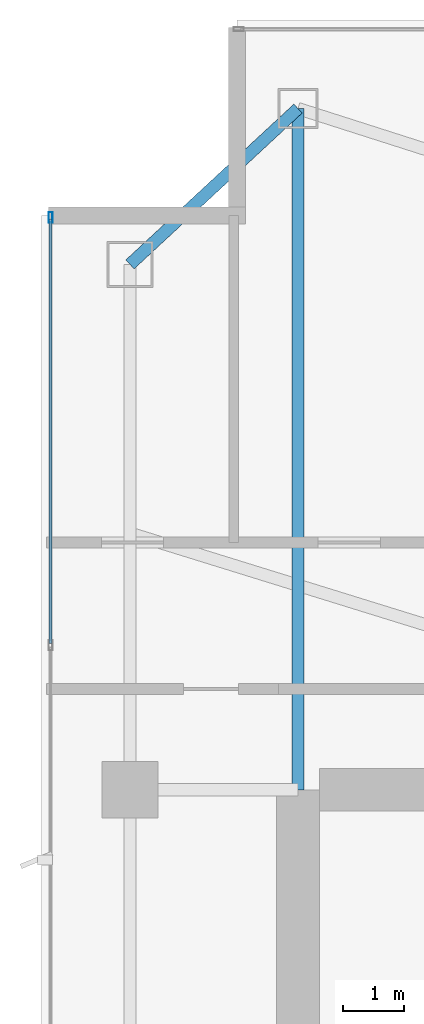
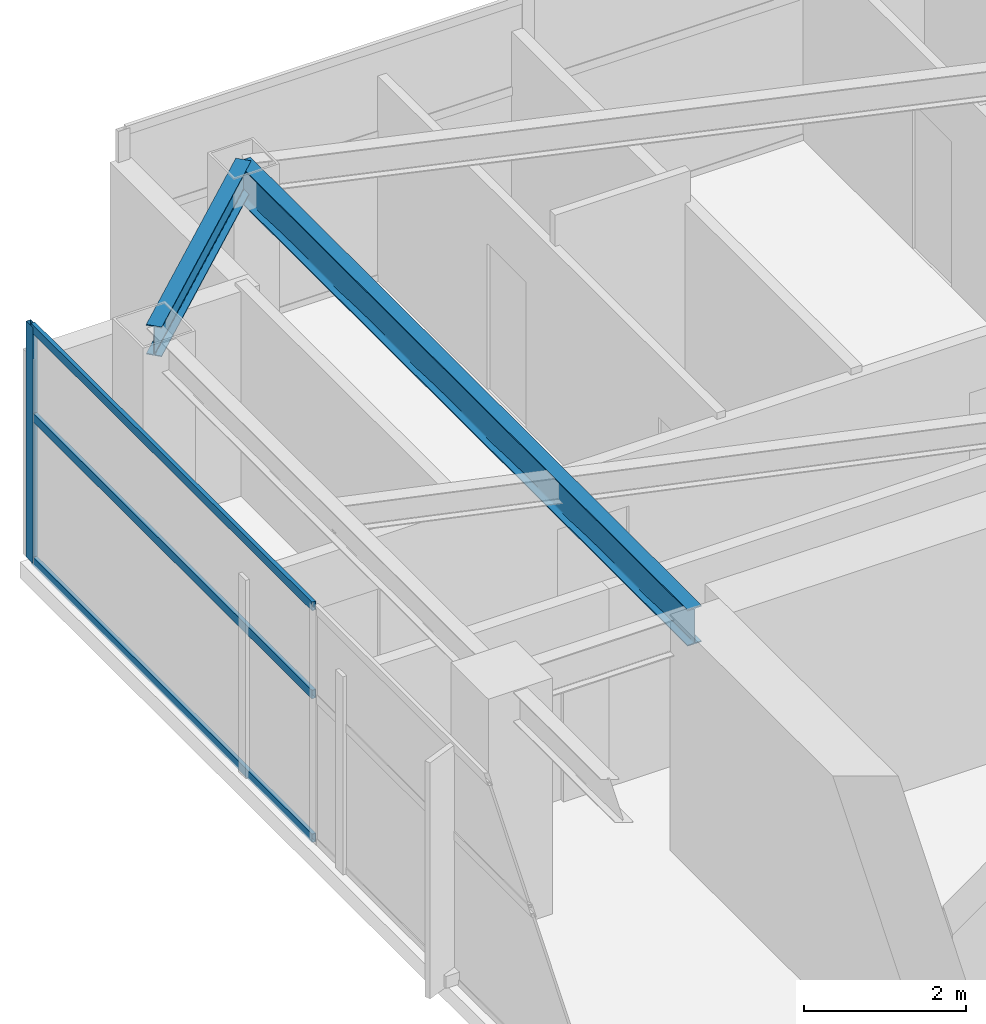
# One storey, part 17 of 29: 4 members, 2 beams, 1 element without a shape of its own.
"""IFC4 building model written with IfcOpenShell, lengths in metres."""

from ifc_helpers import new_model, si_unit, direction, frame, origin, origin_2d, place, context, subcontext, project, spatial, hollow_rectangle, i_section, extrude, material, layer, layer_set, material_profile, profile_set, type_object, element, aggregate, save


model = new_model("IFC4")

# Units and contexts
model_context = context("Model", 3, precision=1e-05, world=origin(), true_north=direction((0.0, 1.0)))
body_context = subcontext(model_context, "Body", "Model", "MODEL_VIEW")
ifc_project = project(units=[si_unit("LENGTHUNIT", "METRE"), si_unit("AREAUNIT", "SQUARE_METRE"), si_unit("VOLUMEUNIT", "CUBIC_METRE"), si_unit("PLANEANGLEUNIT", "RADIAN"), si_unit("MASSUNIT", "GRAM", prefix="KILO")], contexts=[model_context])

# Site, building, storey
site_placement = place(None, origin())
site = spatial("IfcSite", under=ifc_project, at=site_placement, CompositionType="ELEMENT")
building_placement = place(site_placement, origin())
building = spatial("IfcBuilding", under=site, at=building_placement, Name="Calvorn Quay Hotel", CompositionType="ELEMENT")
storey_placement = place(building_placement, frame((0.0, 0.0, 247.60009765625)))
storey = spatial("IfcBuildingStorey", under=building, at=storey_placement, Name="L61", CompositionType="ELEMENT", Elevation=247.60009765625)

# Beams
ifc_material_1 = material(Name="Steel Q355B", Category="steel")
ifc_material_profile_1 = material_profile(ifc_material_1, i_section(OverallWidth=0.199951171875, OverallDepth=0.550048828125, WebThickness=0.010009765625, FlangeThickness=0.01611328125, FilletRadius=0.01806640625, at=origin_2d()), Name="HN550x200x10x16")
ifc_profile_set_1 = profile_set([ifc_material_profile_1], Name="Steel Q355B")
beam_type_1 = type_object("IfcBeamType", Name="BM-GIRD-UPP", PredefinedType="BEAM", material=ifc_profile_set_1)
beam_1_placement = place(storey_placement, frame((4.199951171875, 49.550048828125, 3.264892578125), z_axis=(0.0, -1.0, 0.0), x_axis=(1.0, 0.0, 0.0)))
element("IfcBeam", 1, at=beam_1_placement, inside=storey, type_object=beam_type_1, Name="Beam BG-L61-W5", PredefinedType="BEAM", context=body_context, shape_type="SweptSolid", body=[
    extrude(i_section(OverallWidth=0.199951171875, OverallDepth=0.550048828125, WebThickness=0.010009765625, FlangeThickness=0.01611328125, FilletRadius=0.01806640625, at=origin_2d()), origin(), (0.0, 0.0, 1.0), 11.150146484375),
])
ifc_material_2 = material(Name="Steel Q355B", Category="steel")
ifc_material_profile_2 = material_profile(ifc_material_2, i_section(OverallWidth=0.199951171875, OverallDepth=0.449951171875, WebThickness=0.009033203125, FlangeThickness=0.013916015625, FilletRadius=0.01611328125, at=origin_2d()), Name="HN450x200x9x14")
ifc_profile_set_2 = profile_set([ifc_material_profile_2], Name="Steel Q355B")
beam_type_2 = type_object("IfcBeamType", Name="BM-SPANDREL-Z3", PredefinedType="SPANDREL", material=ifc_profile_set_2)
beam_2_placement = place(storey_placement, frame((1.449951171875, 47.0, 3.31494140625), z_axis=(0.733261665538, 0.679946563969, 0.0), x_axis=(-0.679946563969, 0.733261665538, 0.0)))
element("IfcBeam", 2, at=beam_2_placement, inside=storey, type_object=beam_type_2, Name="Beam BSP-L61-W5", PredefinedType="SPANDREL", context=body_context, shape_type="SweptSolid", body=[
    extrude(i_section(OverallWidth=0.199951171875, OverallDepth=0.449951171875, WebThickness=0.009033203125, FlangeThickness=0.013916015625, FilletRadius=0.01611328125, at=origin_2d()), origin(), (0.0, 0.0, 1.0), 3.75048828125),
])

# Curtain wall, members
ifc_material_3 = material(Name="Champagne Bronze Anodised Aluminium and Low-E Glass", Category="aluminium")
ifc_layer = layer(ifc_material_3, 0.219970703125)
ifc_layer_set = layer_set([ifc_layer], Name="CW-SYS-Z4")
curtain_wall_type = type_object("IfcCurtainWallType", Name="CW-SYS-Z4", PredefinedType="NOTDEFINED", material=ifc_layer_set)
curtain_wall_placement = place(storey_placement, origin())
curtain_wall = element("IfcCurtainWall", 3, at=curtain_wall_placement, inside=storey, type_object=curtain_wall_type, Name="Tower West Curtain Wall (L61)", PredefinedType="NOTDEFINED")
ifc_material_4 = material(Name="Champagne Bronze Anodised Aluminium 6063-T6", Category="aluminium")
ifc_material_profile_3 = material_profile(ifc_material_4, hollow_rectangle(XDim=0.06494140625, YDim=0.169921875, WallThickness=0.00341796875, at=origin_2d()), Name="ALU-M170x65x3.5")
ifc_profile_set_3 = profile_set([ifc_material_profile_3], Name="Champagne Bronze Anodised Aluminium 6063-T6")
member_type_1 = type_object("IfcMemberType", Name="CW-SYS-Z4-MUL", PredefinedType="MULLION", material=ifc_profile_set_3)
member_1_placement = place(storey_placement, frame((0.14990234375, 47.77001953125, 0.0), z_axis=(0.0, 0.0, 1.0), x_axis=(-1.0, 0.0, 0.0)))
member_1 = element("IfcMember", 4, at=member_1_placement, type_object=member_type_1, Name="CW-L61-W mullion 7", PredefinedType="MULLION", context=body_context, shape_type="SweptSolid", body=[
    extrude(hollow_rectangle(XDim=0.06494140625, YDim=0.169921875, WallThickness=0.00341796875, at=origin_2d()), origin(), (0.0, 0.0, 1.0), 3.559814453125),
])
ifc_material_5 = material(Name="Champagne Bronze Anodised Aluminium 6063-T6", Category="aluminium")
ifc_material_profile_4 = material_profile(ifc_material_5, hollow_rectangle(XDim=0.054931640625, YDim=0.1298828125, WallThickness=0.003173828125, at=origin_2d()), Name="ALU-T130x55x3.2")
ifc_profile_set_4 = profile_set([ifc_material_profile_4], Name="Champagne Bronze Anodised Aluminium 6063-T6")
member_type_2 = type_object("IfcMemberType", Name="CW-SYS-Z4-TRN", PredefinedType="USERDEFINED", material=ifc_profile_set_4)
member_2_placement = place(storey_placement, frame((0.14990234375, 40.796630859375, 0.02978515625), z_axis=(0.0, 1.0, 0.0), x_axis=(-1.0, 0.0, 0.0)))
member_2 = element("IfcMember", 5, at=member_2_placement, type_object=member_type_2, Name="CW-L61-W transom 6.1", ObjectType="TRANSOM", PredefinedType="USERDEFINED", context=body_context, shape_type="SweptSolid", body=[
    extrude(hollow_rectangle(XDim=0.054931640625, YDim=0.1298828125, WallThickness=0.003173828125, at=origin_2d()), origin(), (0.0, 0.0, 1.0), 6.943359375),
])
member_3_placement = place(storey_placement, frame((0.14990234375, 40.796630859375, 2.199951171875), z_axis=(0.0, 1.0, 0.0), x_axis=(-1.0, 0.0, 0.0)))
member_3 = element("IfcMember", 6, at=member_3_placement, type_object=member_type_2, Name="CW-L61-W transom 6.2", ObjectType="TRANSOM", PredefinedType="USERDEFINED", context=body_context, shape_type="SweptSolid", body=[
    extrude(hollow_rectangle(XDim=0.054931640625, YDim=0.1298828125, WallThickness=0.003173828125, at=origin_2d()), origin(), (0.0, 0.0, 1.0), 6.943359375),
])
member_4_placement = place(storey_placement, frame((0.14990234375, 40.796630859375, 3.52978515625), z_axis=(0.0, 1.0, 0.0), x_axis=(-1.0, 0.0, 0.0)))
member_4 = element("IfcMember", 7, at=member_4_placement, type_object=member_type_2, Name="CW-L61-W transom 6.3", ObjectType="TRANSOM", PredefinedType="USERDEFINED", context=body_context, shape_type="SweptSolid", body=[
    extrude(hollow_rectangle(XDim=0.054931640625, YDim=0.1298828125, WallThickness=0.003173828125, at=origin_2d()), origin(), (0.0, 0.0, 1.0), 6.943359375),
])
aggregate(curtain_wall, [member_1, member_2, member_3, member_4])

save(model, "model.ifc")
